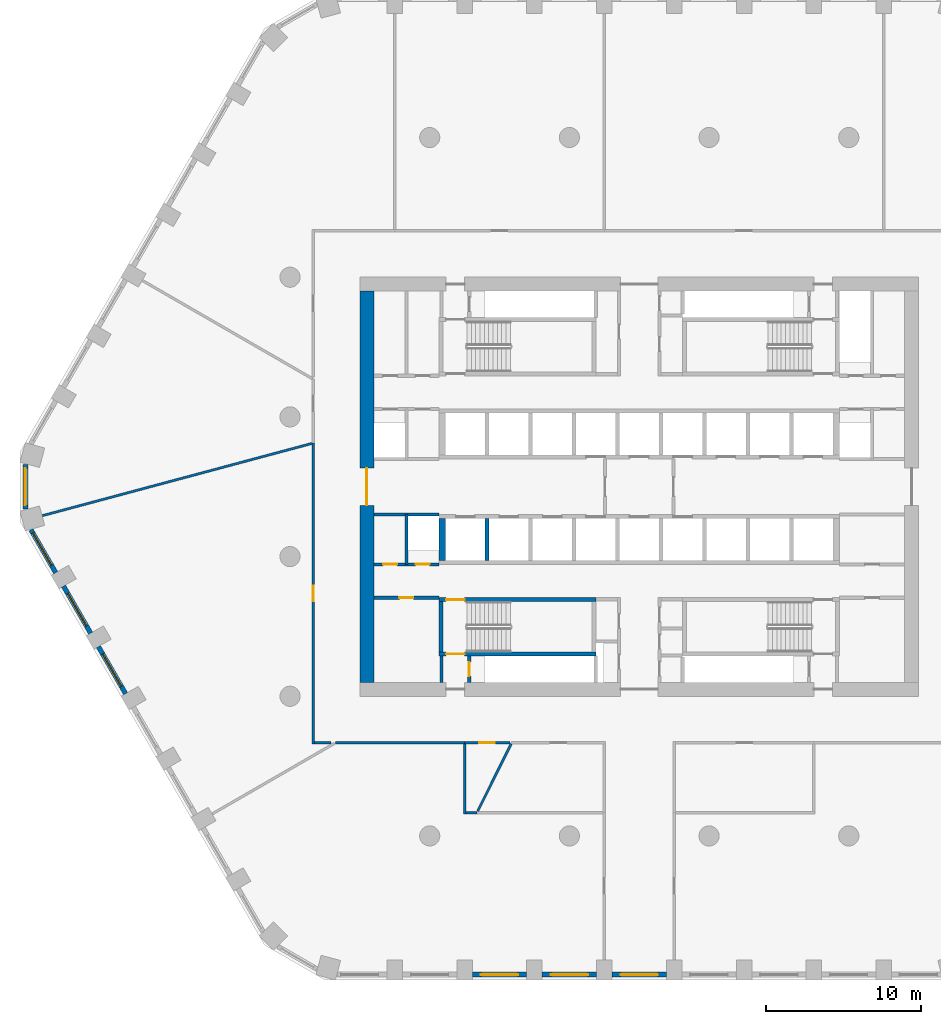
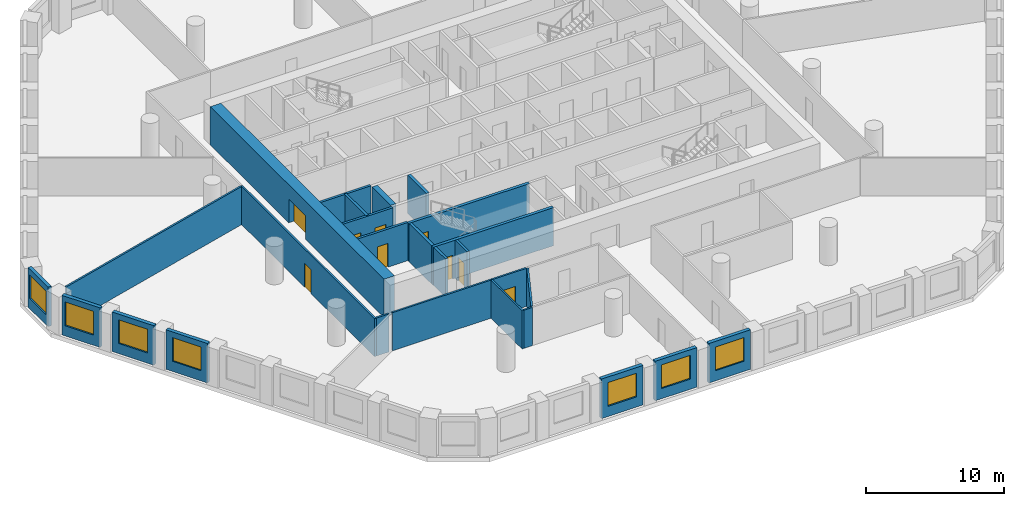
# One storey, part 2 of 9: 27 walls, 9 doors, 7 windows, 16 openings.
"""IFC4 building model written with IfcOpenShell, lengths in metres."""

from ifc_helpers import new_model, si_unit, direction, frame, frame_2d, origin, place, context, subcontext, project, spatial, polyline, rectangle, outline, extrude, material, layer, layer_set, type_object, element, fill, save


model = new_model("IFC4")

# Units and contexts
model_context = context("Model", 3, precision=1e-05, world=origin(), true_north=direction((0.0, 1.0)))
body_context = subcontext(model_context, "Body", "Model", "MODEL_VIEW")
ifc_project = project(units=[si_unit("LENGTHUNIT", "METRE"), si_unit("AREAUNIT", "SQUARE_METRE"), si_unit("VOLUMEUNIT", "CUBIC_METRE"), si_unit("PLANEANGLEUNIT", "RADIAN"), si_unit("MASSUNIT", "GRAM", prefix="KILO")], contexts=[model_context])

# Site, building, storey
site_placement = place(None, origin())
site = spatial("IfcSite", under=ifc_project, at=site_placement, CompositionType="ELEMENT")
building_placement = place(site_placement, origin())
building = spatial("IfcBuilding", under=site, at=building_placement, Name="Dhurran Vertical Campus", CompositionType="ELEMENT")
storey_placement = place(building_placement, frame((0.0, 0.0, 124.199951171875)))
storey = spatial("IfcBuildingStorey", under=building, at=storey_placement, Name="L30", CompositionType="ELEMENT", Elevation=124.199951171875)

# Wall, opening, window
ifc_material_1 = material(Name="Precast concrete C50/60", Category="concrete")
ifc_layer_1 = layer(ifc_material_1, 0.300048828125)
ifc_layer_set_1 = layer_set([ifc_layer_1], Name="Precast concrete C50/60")
wall_type_1 = type_object("IfcWallType", Name="Precast spandrel wall 300", PredefinedType="SOLIDWALL", material=ifc_layer_set_1)
wall_1_placement = place(storey_placement, frame((-10.74951171875, -31.4296875, 0.0), z_axis=(0.0, 0.0, 1.0), x_axis=(1.0, 0.0, 0.0)))
wall_1 = element("IfcWall", 1, at=wall_1_placement, inside=storey, type_object=wall_type_1, Name="EW1 L30.02", PredefinedType="SOLIDWALL", context=body_context, shape_type="SweptSolid", body=[
    extrude(rectangle(XDim=3.4990234375, YDim=0.300048828125, at=frame_2d((1.74951171875, 0.0))), origin(), (0.0, 0.0, 1.0), 3.5),
])
opening_1_placement = place(wall_1_placement, frame((0.549560546875, 0.0, 0.89990234375)))
opening_1 = element("IfcOpeningElement", 2, at=opening_1_placement, cuts=wall_1, Name="Opening WT1", PredefinedType="OPENING", context=body_context, shape_type="SweptSolid", body=[
    extrude(rectangle(XDim=2.39990234375, YDim=2.10009765625, at=frame_2d((1.199951171875, 1.050048828125))), frame((0.0, 0.159912109375, 0.0), z_axis=(0.0, -1.0, 0.0), x_axis=(1.0, 0.0, 0.0)), (0.0, 0.0, 1.0), 0.320068359375),
])
ifc_material_2 = material(Name="Aluminium frame with solar-control glass", Category="aluminium")
window_type = type_object("IfcWindowType", Name="Punched window 2400 x 2100", PartitioningType="SINGLE_PANEL", PredefinedType="WINDOW", material=ifc_material_2)
window_1_placement = place(opening_1_placement, origin())
window_1 = element("IfcWindow", 3, at=window_1_placement, inside=storey, type_object=window_type, Name="WT1 L30.02", OverallHeight=2.10009765625, OverallWidth=2.39990234375, PartitioningType="SINGLE_PANEL", PredefinedType="WINDOW", context=body_context, shape_type="SweptSolid", body=[
    extrude(rectangle(XDim=2.39990234375, YDim=2.10009765625, at=frame_2d((1.199951171875, 1.050048828125))), frame((0.0, 0.030029296875, 0.0), z_axis=(0.0, -1.0, 0.0), x_axis=(1.0, 0.0, 0.0)), (0.0, 0.0, 1.0), 0.06005859375),
])
fill(opening_1, window_1)

wall_2_placement = place(storey_placement, frame((-6.24951171875, -31.4296875, 0.0), z_axis=(0.0, 0.0, 1.0), x_axis=(1.0, 0.0, 0.0)))
wall_2 = element("IfcWall", 4, at=wall_2_placement, inside=storey, type_object=wall_type_1, Name="EW1 L30.03", PredefinedType="SOLIDWALL", context=body_context, shape_type="SweptSolid", body=[
    extrude(rectangle(XDim=3.4990234375, YDim=0.300048828125, at=frame_2d((1.74951171875, 0.0))), origin(), (0.0, 0.0, 1.0), 3.5),
])
opening_2_placement = place(wall_2_placement, frame((0.549560546875, 0.0, 0.89990234375)))
opening_2 = element("IfcOpeningElement", 5, at=opening_2_placement, cuts=wall_2, Name="Opening WT1", PredefinedType="OPENING", context=body_context, shape_type="SweptSolid", body=[
    extrude(rectangle(XDim=2.39990234375, YDim=2.10009765625, at=frame_2d((1.199951171875, 1.050048828125))), frame((0.0, 0.159912109375, 0.0), z_axis=(0.0, -1.0, 0.0), x_axis=(1.0, 0.0, 0.0)), (0.0, 0.0, 1.0), 0.320068359375),
])
window_2_placement = place(opening_2_placement, origin())
window_2 = element("IfcWindow", 6, at=window_2_placement, inside=storey, type_object=window_type, Name="WT1 L30.03", OverallHeight=2.10009765625, OverallWidth=2.39990234375, PartitioningType="SINGLE_PANEL", PredefinedType="WINDOW", context=body_context, shape_type="SweptSolid", body=[
    extrude(rectangle(XDim=2.39990234375, YDim=2.10009765625, at=frame_2d((1.199951171875, 1.050048828125))), frame((0.0, 0.030029296875, 0.0), z_axis=(0.0, -1.0, 0.0), x_axis=(1.0, 0.0, 0.0)), (0.0, 0.0, 1.0), 0.06005859375),
])
fill(opening_2, window_2)

wall_3_placement = place(storey_placement, frame((-1.74951171875, -31.4296875, 0.0), z_axis=(0.0, 0.0, 1.0), x_axis=(1.0, 0.0, 0.0)))
wall_3 = element("IfcWall", 7, at=wall_3_placement, inside=storey, type_object=wall_type_1, Name="EW1 L30.04", PredefinedType="SOLIDWALL", context=body_context, shape_type="SweptSolid", body=[
    extrude(rectangle(XDim=3.4990234375, YDim=0.300048828125, at=frame_2d((1.74951171875, 0.0))), origin(), (0.0, 0.0, 1.0), 3.5),
])
opening_3_placement = place(wall_3_placement, frame((0.549560546875, 0.0, 0.89990234375)))
opening_3 = element("IfcOpeningElement", 8, at=opening_3_placement, cuts=wall_3, Name="Opening WT1", PredefinedType="OPENING", context=body_context, shape_type="SweptSolid", body=[
    extrude(rectangle(XDim=2.39990234375, YDim=2.10009765625, at=frame_2d((1.199951171875, 1.050048828125))), frame((0.0, 0.159912109375, 0.0), z_axis=(0.0, -1.0, 0.0), x_axis=(1.0, 0.0, 0.0)), (0.0, 0.0, 1.0), 0.320068359375),
])
window_3_placement = place(opening_3_placement, origin())
window_3 = element("IfcWindow", 9, at=window_3_placement, inside=storey, type_object=window_type, Name="WT1 L30.04", OverallHeight=2.10009765625, OverallWidth=2.39990234375, PartitioningType="SINGLE_PANEL", PredefinedType="WINDOW", context=body_context, shape_type="SweptSolid", body=[
    extrude(rectangle(XDim=2.39990234375, YDim=2.10009765625, at=frame_2d((1.199951171875, 1.050048828125))), frame((0.0, 0.030029296875, 0.0), z_axis=(0.0, -1.0, 0.0), x_axis=(1.0, 0.0, 0.0)), (0.0, 0.0, 1.0), 0.06005859375),
])
fill(opening_3, window_3)

wall_4_placement = place(storey_placement, frame((-39.547119140625, 1.44287109375, 0.0), z_axis=(0.0, 0.0, 1.0), x_axis=(0.0, -1.0, 0.0)))
wall_4 = element("IfcWall", 10, at=wall_4_placement, inside=storey, type_object=wall_type_1, Name="EW1 L30.43", PredefinedType="SOLIDWALL", context=body_context, shape_type="SweptSolid", body=[
    extrude(rectangle(XDim=2.8857421875, YDim=0.300048828125, at=frame_2d((1.44287109375, 0.0))), origin(), (0.0, 0.0, 1.0), 3.5),
])
opening_4_placement = place(wall_4_placement, frame((0.242919921875, 0.0, 0.89990234375)))
opening_4 = element("IfcOpeningElement", 11, at=opening_4_placement, cuts=wall_4, Name="Opening WT1", PredefinedType="OPENING", context=body_context, shape_type="SweptSolid", body=[
    extrude(rectangle(XDim=2.39990234375, YDim=2.10009765625, at=frame_2d((1.199951171875, 1.050048828125))), frame((0.0, 0.159912109375, 0.0), z_axis=(0.0, -1.0, 0.0), x_axis=(1.0, 0.0, 0.0)), (0.0, 0.0, 1.0), 0.320068359375),
])
window_4_placement = place(opening_4_placement, origin())
window_4 = element("IfcWindow", 12, at=window_4_placement, inside=storey, type_object=window_type, Name="WT1 L30.43", OverallHeight=2.10009765625, OverallWidth=2.39990234375, PartitioningType="SINGLE_PANEL", PredefinedType="WINDOW", context=body_context, shape_type="SweptSolid", body=[
    extrude(rectangle(XDim=2.39990234375, YDim=2.10009765625, at=frame_2d((1.199951171875, 1.050048828125))), frame((0.0, 0.030029296875, 0.0), z_axis=(0.0, -1.0, 0.0), x_axis=(1.0, 0.0, 0.0)), (0.0, 0.0, 1.0), 0.06005859375),
])
fill(opening_4, window_4)

wall_5_placement = place(storey_placement, frame((-39.1904296875, -2.774169921875, 0.0), z_axis=(0.0, 0.0, 1.0), x_axis=(0.500004907028, -0.866022570692, 0.0)))
wall_5 = element("IfcWall", 13, at=wall_5_placement, inside=storey, type_object=wall_type_1, Name="EW1 L30.44", PredefinedType="SOLIDWALL", context=body_context, shape_type="SweptSolid", body=[
    extrude(rectangle(XDim=3.1923828125, YDim=0.300048828125, at=frame_2d((1.59619140625, 0.0))), origin(), (0.0, 0.0, 1.0), 3.5),
])
opening_5_placement = place(wall_5_placement, frame((0.242919921875, 0.0, 0.89990234375)))
opening_5 = element("IfcOpeningElement", 14, at=opening_5_placement, cuts=wall_5, Name="Opening WT1", PredefinedType="OPENING", context=body_context, shape_type="SweptSolid", body=[
    extrude(rectangle(XDim=2.39990234375, YDim=2.10009765625, at=frame_2d((1.199951171875, 1.050048828125))), frame((0.0, 0.159912109375, 0.0), z_axis=(0.0, -1.0, 0.0), x_axis=(1.0, 0.0, 0.0)), (0.0, 0.0, 1.0), 0.320068359375),
])
window_5_placement = place(opening_5_placement, origin())
window_5 = element("IfcWindow", 15, at=window_5_placement, inside=storey, type_object=window_type, Name="WT1 L30.44", OverallHeight=2.10009765625, OverallWidth=2.39990234375, PartitioningType="SINGLE_PANEL", PredefinedType="WINDOW", context=body_context, shape_type="SweptSolid", body=[
    extrude(rectangle(XDim=2.39990234375, YDim=2.10009765625, at=frame_2d((1.199951171875, 1.050048828125))), frame((0.0, 0.030029296875, 0.0), z_axis=(0.0, -1.0, 0.0), x_axis=(1.0, 0.0, 0.0)), (0.0, 0.0, 1.0), 0.06005859375),
])
fill(opening_5, window_5)

wall_6_placement = place(storey_placement, frame((-37.09375, -6.405517578125, 0.0), z_axis=(0.0, 0.0, 1.0), x_axis=(0.499996256241, -0.866027565234, 0.0)))
wall_6 = element("IfcWall", 16, at=wall_6_placement, inside=storey, type_object=wall_type_1, Name="EW1 L30.45", PredefinedType="SOLIDWALL", context=body_context, shape_type="SweptSolid", body=[
    extrude(rectangle(XDim=3.4990234375, YDim=0.300048828125, at=frame_2d((1.74951171875, 0.0))), origin(), (0.0, 0.0, 1.0), 3.5),
])
opening_6_placement = place(wall_6_placement, frame((0.549560546875, 0.0, 0.89990234375)))
opening_6 = element("IfcOpeningElement", 17, at=opening_6_placement, cuts=wall_6, Name="Opening WT1", PredefinedType="OPENING", context=body_context, shape_type="SweptSolid", body=[
    extrude(rectangle(XDim=2.39990234375, YDim=2.10009765625, at=frame_2d((1.199951171875, 1.050048828125))), frame((0.0, 0.159912109375, 0.0), z_axis=(0.0, -1.0, 0.0), x_axis=(1.0, 0.0, 0.0)), (0.0, 0.0, 1.0), 0.320068359375),
])
window_6_placement = place(opening_6_placement, origin())
window_6 = element("IfcWindow", 18, at=window_6_placement, inside=storey, type_object=window_type, Name="WT1 L30.45", OverallHeight=2.10009765625, OverallWidth=2.39990234375, PartitioningType="SINGLE_PANEL", PredefinedType="WINDOW", context=body_context, shape_type="SweptSolid", body=[
    extrude(rectangle(XDim=2.39990234375, YDim=2.10009765625, at=frame_2d((1.199951171875, 1.050048828125))), frame((0.0, 0.030029296875, 0.0), z_axis=(0.0, -1.0, 0.0), x_axis=(1.0, 0.0, 0.0)), (0.0, 0.0, 1.0), 0.06005859375),
])
fill(opening_6, window_6)

wall_7_placement = place(storey_placement, frame((-34.84375, -10.302734375, 0.0), z_axis=(0.0, 0.0, 1.0), x_axis=(0.499996256241, -0.866027565234, 0.0)))
wall_7 = element("IfcWall", 19, at=wall_7_placement, inside=storey, type_object=wall_type_1, Name="EW1 L30.46", PredefinedType="SOLIDWALL", context=body_context, shape_type="SweptSolid", body=[
    extrude(rectangle(XDim=3.4990234375, YDim=0.300048828125, at=frame_2d((1.74951171875, 0.0))), origin(), (0.0, 0.0, 1.0), 3.5),
])
opening_7_placement = place(wall_7_placement, frame((0.549560546875, 0.0, 0.89990234375)))
opening_7 = element("IfcOpeningElement", 20, at=opening_7_placement, cuts=wall_7, Name="Opening WT1", PredefinedType="OPENING", context=body_context, shape_type="SweptSolid", body=[
    extrude(rectangle(XDim=2.39990234375, YDim=2.10009765625, at=frame_2d((1.199951171875, 1.050048828125))), frame((0.0, 0.159912109375, 0.0), z_axis=(0.0, -1.0, 0.0), x_axis=(1.0, 0.0, 0.0)), (0.0, 0.0, 1.0), 0.320068359375),
])
window_7_placement = place(opening_7_placement, origin())
window_7 = element("IfcWindow", 21, at=window_7_placement, inside=storey, type_object=window_type, Name="WT1 L30.46", OverallHeight=2.10009765625, OverallWidth=2.39990234375, PartitioningType="SINGLE_PANEL", PredefinedType="WINDOW", context=body_context, shape_type="SweptSolid", body=[
    extrude(rectangle(XDim=2.39990234375, YDim=2.10009765625, at=frame_2d((1.199951171875, 1.050048828125))), frame((0.0, 0.030029296875, 0.0), z_axis=(0.0, -1.0, 0.0), x_axis=(1.0, 0.0, 0.0)), (0.0, 0.0, 1.0), 0.06005859375),
])
fill(opening_7, window_7)

# Wall, opening, door
ifc_material_3 = material(Name="Concrete C60/75", Category="concrete")
ifc_layer_2 = layer(ifc_material_3, 0.89990234375)
ifc_layer_set_2 = layer_set([ifc_layer_2], Name="Concrete C60/75")
wall_type_2 = type_object("IfcWallType", Name="co-CORE-WALL-C0-900", PredefinedType="SHEAR", material=ifc_layer_set_2)
wall_8_placement = place(storey_placement, frame((-17.550048828125, -12.60009765625, 0.0), z_axis=(0.0, 0.0, 1.0), x_axis=(0.0, 1.0, 0.0)))
wall_8 = element("IfcWall", 22, at=wall_8_placement, inside=storey, type_object=wall_type_2, Name="Core wall W L30", PredefinedType="SHEAR", context=body_context, shape_type="SweptSolid", body=[
    extrude(rectangle(XDim=25.2001953125, YDim=0.89990234375, at=frame_2d((12.60009765625, 0.0))), origin(), (0.0, 0.0, 1.0), 3.375),
])
opening_8_placement = place(wall_8_placement, frame((11.39990234375, 0.0, 0.0)))
opening_8 = element("IfcOpeningElement", 23, at=opening_8_placement, cuts=wall_8, Name="Opening CL1", PredefinedType="OPENING", context=body_context, shape_type="SweptSolid", body=[
    extrude(rectangle(XDim=2.39990234375, YDim=2.10009765625, at=frame_2d((1.199951171875, 1.050048828125))), frame((0.0, 0.4599609375, 0.0), z_axis=(0.0, -1.0, 0.0), x_axis=(1.0, 0.0, 0.0)), (0.0, 0.0, 1.0), 0.919921875),
])
ifc_material_4 = material(Name="Fire-rated glazed door set")
door_type_1 = type_object("IfcDoorType", Name="co-D-LOBBY 2400x2100", OperationType="DOUBLE_DOOR_DOUBLE_SWING", PredefinedType="DOOR", material=ifc_material_4)
door_1_placement = place(opening_8_placement, origin())
door_1 = element("IfcDoor", 24, at=door_1_placement, inside=storey, type_object=door_type_1, Name="Lift lobby door W L30", OperationType="DOUBLE_DOOR_DOUBLE_SWING", OverallHeight=2.10009765625, OverallWidth=2.39990234375, PredefinedType="DOOR", context=body_context, shape_type="SweptSolid", body=[
    extrude(rectangle(XDim=2.39990234375, YDim=2.10009765625, at=frame_2d((1.199951171875, 1.050048828125))), frame((0.0, 0.02490234375, 0.0), z_axis=(0.0, -1.0, 0.0), x_axis=(1.0, 0.0, 0.0)), (0.0, 0.0, 1.0), 0.050048828125),
])
fill(opening_8, door_1)

# Wall
ifc_material_5 = material(Name="Fire-rated masonry blockwork", Category="masonry")
ifc_layer_3 = layer(ifc_material_5, 0.199951171875)
ifc_layer_set_3 = layer_set([ifc_layer_3], Name="Fire-rated masonry blockwork")
wall_type_3 = type_object("IfcWallType", Name="co-FIRE-PARTITION-200", PredefinedType="PARTITIONING", material=ifc_layer_set_3)
wall_9_placement = place(storey_placement, frame((-12.75, -12.60009765625, 0.0), z_axis=(0.0, 0.0, 1.0), x_axis=(0.0, 1.0, 0.0)))
element("IfcWall", 25, at=wall_9_placement, inside=storey, type_object=wall_type_3, Name="Core partition pass-ST3-o L30", PredefinedType="PARTITIONING", context=body_context, shape_type="SweptSolid", body=[
    extrude(rectangle(XDim=1.7001953125, YDim=0.199951171875, at=frame_2d((0.85009765625, 0.0))), origin(), (0.0, 0.0, 1.0), 3.375),
])

# Wall, opening, door
wall_10_placement = place(storey_placement, frame((-10.949951171875, -12.60009765625, 0.0), z_axis=(0.0, 0.0, 1.0), x_axis=(0.0, 1.0, 0.0)))
wall_10 = element("IfcWall", 26, at=wall_10_placement, inside=storey, type_object=wall_type_3, Name="Core partition pass-ST3-i L30", PredefinedType="PARTITIONING", context=body_context, shape_type="SweptSolid", body=[
    extrude(rectangle(XDim=1.7001953125, YDim=0.199951171875, at=frame_2d((0.85009765625, 0.0))), origin(), (0.0, 0.0, 1.0), 3.375),
])
opening_9_placement = place(wall_10_placement, frame((0.39990234375, 0.0, 0.0)))
opening_9 = element("IfcOpeningElement", 27, at=opening_9_placement, cuts=wall_10, Name="Opening T08-C11", PredefinedType="OPENING", context=body_context, shape_type="SweptSolid", body=[
    extrude(rectangle(XDim=0.89990234375, YDim=2.10009765625, at=frame_2d((0.449951171875, 1.050048828125))), frame((0.0, 0.10986328125, 0.0), z_axis=(0.0, -1.0, 0.0), x_axis=(1.0, 0.0, 0.0)), (0.0, 0.0, 1.0), 0.219970703125),
])
ifc_material_6 = material(Name="Fire-rated timber door set", Category="wood")
door_type_2 = type_object("IfcDoorType", Name="co-D-ROOM 900x2100", OperationType="SINGLE_SWING_LEFT", PredefinedType="DOOR", material=ifc_material_6)
door_2_placement = place(opening_9_placement, origin())
door_2 = element("IfcDoor", 28, at=door_2_placement, inside=storey, type_object=door_type_2, Name="Riser room door L30", OperationType="SINGLE_SWING_LEFT", OverallHeight=2.10009765625, OverallWidth=0.89990234375, PredefinedType="DOOR", context=body_context, shape_type="SweptSolid", body=[
    extrude(rectangle(XDim=0.89990234375, YDim=2.10009765625, at=frame_2d((0.449951171875, 1.050048828125))), frame((0.0, 0.02490234375, 0.0), z_axis=(0.0, -1.0, 0.0), x_axis=(1.0, 0.0, 0.0)), (0.0, 0.0, 1.0), 0.050048828125),
])
fill(opening_9, door_2)

wall_11_placement = place(storey_placement, frame((-17.10009765625, -7.14990234375, 0.0), z_axis=(0.0, 0.0, 1.0), x_axis=(1.0, 0.0, 0.0)))
wall_11 = element("IfcWall", 29, at=wall_11_placement, inside=storey, type_object=wall_type_3, Name="Core partition en-SW-w L30", PredefinedType="PARTITIONING", context=body_context, shape_type="SweptSolid", body=[
    extrude(rectangle(XDim=4.2001953125, YDim=0.199951171875, at=frame_2d((2.10009765625, 0.0))), origin(), (0.0, 0.0, 1.0), 3.375),
])
opening_10_placement = place(wall_11_placement, frame((1.64990234375, 0.0, 0.0)))
opening_10 = element("IfcOpeningElement", 30, at=opening_10_placement, cuts=wall_11, Name="Opening T08-C21", PredefinedType="OPENING", context=body_context, shape_type="SweptSolid", body=[
    extrude(rectangle(XDim=0.89990234375, YDim=2.10009765625, at=frame_2d((0.449951171875, 1.050048828125))), frame((0.0, 0.10986328125, 0.0), z_axis=(0.0, -1.0, 0.0), x_axis=(1.0, 0.0, 0.0)), (0.0, 0.0, 1.0), 0.219970703125),
])
door_3_placement = place(opening_10_placement, origin())
door_3 = element("IfcDoor", 31, at=door_3_placement, inside=storey, type_object=door_type_2, Name="Waste room door L30", OperationType="SINGLE_SWING_LEFT", OverallHeight=2.10009765625, OverallWidth=0.89990234375, PredefinedType="DOOR", context=body_context, shape_type="SweptSolid", body=[
    extrude(rectangle(XDim=0.89990234375, YDim=2.10009765625, at=frame_2d((0.449951171875, 1.050048828125))), frame((0.0, 0.02490234375, 0.0), z_axis=(0.0, -1.0, 0.0), x_axis=(1.0, 0.0, 0.0)), (0.0, 0.0, 1.0), 0.050048828125),
])
fill(opening_10, door_3)

# Wall
wall_12_placement = place(storey_placement, frame((-15.0, -5.0, 0.0), z_axis=(0.0, 0.0, 1.0), x_axis=(0.0, 1.0, 0.0)))
element("IfcWall", 32, at=wall_12_placement, inside=storey, type_object=wall_type_3, Name="Core partition es-SW-cut0 L30", PredefinedType="PARTITIONING", context=body_context, shape_type="SweptSolid", body=[
    extrude(rectangle(XDim=3.199951171875, YDim=0.199951171875, at=frame_2d((1.60009765625, 0.0))), origin(), (0.0, 0.0, 1.0), 3.375),
])

# Wall, openings, doors
wall_13_placement = place(storey_placement, frame((-17.10009765625, -5.0, 0.0), z_axis=(0.0, 0.0, 1.0), x_axis=(1.0, 0.0, 0.0)))
wall_13 = element("IfcWall", 33, at=wall_13_placement, inside=storey, type_object=wall_type_3, Name="Core partition es-SW-w L30", PredefinedType="PARTITIONING", context=body_context, shape_type="SweptSolid", body=[
    extrude(rectangle(XDim=4.2001953125, YDim=0.199951171875, at=frame_2d((2.10009765625, 0.0))), origin(), (0.0, 0.0, 1.0), 3.375),
])
opening_11_placement = place(wall_13_placement, frame((0.60009765625, 0.0, 0.0)))
opening_11 = element("IfcOpeningElement", 34, at=opening_11_placement, cuts=wall_13, Name="Opening T08-C22", PredefinedType="OPENING", context=body_context, shape_type="SweptSolid", body=[
    extrude(rectangle(XDim=0.89990234375, YDim=2.10009765625, at=frame_2d((0.449951171875, 1.050048828125))), frame((0.0, 0.10986328125, 0.0), z_axis=(0.0, -1.0, 0.0), x_axis=(1.0, 0.0, 0.0)), (0.0, 0.0, 1.0), 0.219970703125),
])
opening_12_placement = place(wall_13_placement, frame((2.699951171875, 0.0, 0.0)))
opening_12 = element("IfcOpeningElement", 35, at=opening_12_placement, cuts=wall_13, Name="Opening T08-C23", PredefinedType="OPENING", context=body_context, shape_type="SweptSolid", body=[
    extrude(rectangle(XDim=0.89990234375, YDim=2.10009765625, at=frame_2d((0.449951171875, 1.050048828125))), frame((0.0, 0.10986328125, 0.0), z_axis=(0.0, -1.0, 0.0), x_axis=(1.0, 0.0, 0.0)), (0.0, 0.0, 1.0), 0.219970703125),
])
door_4_placement = place(opening_11_placement, origin())
door_4 = element("IfcDoor", 36, at=door_4_placement, inside=storey, type_object=door_type_2, Name="Communications room door L30", OperationType="SINGLE_SWING_LEFT", OverallHeight=2.10009765625, OverallWidth=0.89990234375, PredefinedType="DOOR", context=body_context, shape_type="SweptSolid", body=[
    extrude(rectangle(XDim=0.89990234375, YDim=2.10009765625, at=frame_2d((0.449951171875, 1.050048828125))), frame((0.0, 0.02490234375, 0.0), z_axis=(0.0, -1.0, 0.0), x_axis=(1.0, 0.0, 0.0)), (0.0, 0.0, 1.0), 0.050048828125),
])
fill(opening_11, door_4)
door_5_placement = place(opening_12_placement, origin())
door_5 = element("IfcDoor", 37, at=door_5_placement, inside=storey, type_object=door_type_2, Name="Electrical riser door L30", OperationType="SINGLE_SWING_LEFT", OverallHeight=2.10009765625, OverallWidth=0.89990234375, PredefinedType="DOOR", context=body_context, shape_type="SweptSolid", body=[
    extrude(rectangle(XDim=0.89990234375, YDim=2.10009765625, at=frame_2d((0.449951171875, 1.050048828125))), frame((0.0, 0.02490234375, 0.0), z_axis=(0.0, -1.0, 0.0), x_axis=(1.0, 0.0, 0.0)), (0.0, 0.0, 1.0), 0.050048828125),
])
fill(opening_12, door_5)

# Walls
wall_14_placement = place(storey_placement, frame((-17.10009765625, -1.800048828125, 0.0), z_axis=(0.0, 0.0, 1.0), x_axis=(1.0, 0.0, 0.0)))
element("IfcWall", 38, at=wall_14_placement, inside=storey, type_object=wall_type_3, Name="Core partition es-SW-l L30", PredefinedType="PARTITIONING", context=body_context, shape_type="SweptSolid", body=[
    extrude(rectangle(XDim=4.2001953125, YDim=0.199951171875, at=frame_2d((2.10009765625, 0.0))), origin(), (0.0, 0.0, 1.0), 3.375),
])
ifc_material_7 = material(Name="Concrete C50/60", Category="concrete")
ifc_layer_4 = layer(ifc_material_7, 0.25)
ifc_layer_set_4 = layer_set([ifc_layer_4], Name="Concrete C50/60")
wall_type_4 = type_object("IfcWallType", Name="co-SHAFT-MASS-250", PredefinedType="SHEAR", material=ifc_layer_set_4)
wall_15_placement = place(storey_placement, origin())
element("IfcWall", 39, at=wall_15_placement, inside=storey, type_object=wall_type_4, Name="Lift shaft wall S L30 2", PredefinedType="SHEAR", context=body_context, shape_type="SweptSolid", body=[
    extrude(outline(polyline([(-12.89990234375, -4.75), (-12.47509765625, -4.75), (-12.47509765625, -2.050048828125), (-12.89990234375, -2.050048828125), (-12.89990234375, -4.75)])), origin(), (0.0, 0.0, 1.0), 3.375),
])
wall_16_placement = place(storey_placement, origin())
element("IfcWall", 40, at=wall_16_placement, inside=storey, type_object=wall_type_4, Name="Lift shaft wall S L30 3", PredefinedType="SHEAR", context=body_context, shape_type="SweptSolid", body=[
    extrude(outline(polyline([(-9.925048828125, -4.75), (-9.675048828125, -4.75), (-9.675048828125, -2.050048828125), (-9.925048828125, -2.050048828125), (-9.925048828125, -4.75)])), origin(), (0.0, 0.0, 1.0), 3.375),
])

# Wall, opening, door
ifc_material_8 = material(Name="Concrete C40/50", Category="concrete")
ifc_layer_5 = layer(ifc_material_8, 0.25)
ifc_layer_set_5 = layer_set([ifc_layer_5], Name="Concrete C40/50")
wall_type_5 = type_object("IfcWallType", Name="co-STAIR-WALL-250", PredefinedType="SHEAR", material=ifc_layer_set_5)
wall_17_placement = place(storey_placement, frame((-12.89990234375, -10.77490234375, 0.0), z_axis=(0.0, 0.0, 1.0), x_axis=(1.0, 0.0, 0.0)))
wall_17 = element("IfcWall", 41, at=wall_17_placement, inside=storey, type_object=wall_type_5, Name="Stair ST3 enclosure wall L30", PredefinedType="SHEAR", context=body_context, shape_type="SweptSolid", body=[
    extrude(rectangle(XDim=10.099853515625, YDim=0.25, at=frame_2d((5.0498046875, 0.0))), origin(), (0.0, 0.0, 1.0), 3.375),
])
opening_13_placement = place(wall_17_placement, frame((0.449951171875, 0.0, 0.0)))
opening_13 = element("IfcOpeningElement", 42, at=opening_13_placement, cuts=wall_17, Name="Opening XS3", PredefinedType="OPENING", context=body_context, shape_type="SweptSolid", body=[
    extrude(rectangle(XDim=1.199951171875, YDim=2.10009765625, at=frame_2d((0.60009765625, 1.050048828125))), frame((0.0, 0.135009765625, 0.0), z_axis=(0.0, -1.0, 0.0), x_axis=(1.0, 0.0, 0.0)), (0.0, 0.0, 1.0), 0.27001953125),
])
ifc_material_9 = material(Name="Fire-rated steel door set", Category="steel")
door_type_3 = type_object("IfcDoorType", Name="co-D-STAIR-EXIT 1200x2100", OperationType="SINGLE_SWING_RIGHT", PredefinedType="DOOR", material=ifc_material_9)
door_6_placement = place(opening_13_placement, origin())
door_6 = element("IfcDoor", 43, at=door_6_placement, inside=storey, type_object=door_type_3, Name="Stair ST3 discharge door L30", OperationType="SINGLE_SWING_RIGHT", OverallHeight=2.10009765625, OverallWidth=1.199951171875, PredefinedType="DOOR", context=body_context, shape_type="SweptSolid", body=[
    extrude(rectangle(XDim=1.199951171875, YDim=2.10009765625, at=frame_2d((0.60009765625, 1.050048828125))), frame((0.0, 0.02490234375, 0.0), z_axis=(0.0, -1.0, 0.0), x_axis=(1.0, 0.0, 0.0)), (0.0, 0.0, 1.0), 0.050048828125),
])
fill(opening_13, door_6)

wall_18_placement = place(storey_placement, frame((-12.89990234375, -7.27490234375, 0.0), z_axis=(0.0, 0.0, 1.0), x_axis=(1.0, 0.0, 0.0)))
wall_18 = element("IfcWall", 44, at=wall_18_placement, inside=storey, type_object=wall_type_5, Name="Stair ST3 enclosure wall L30", PredefinedType="SHEAR", context=body_context, shape_type="SweptSolid", body=[
    extrude(rectangle(XDim=10.099853515625, YDim=0.25, at=frame_2d((5.0498046875, 0.0))), origin(), (0.0, 0.0, 1.0), 3.375),
])
opening_14_placement = place(wall_18_placement, frame((0.449951171875, 0.0, 0.0)))
opening_14 = element("IfcOpeningElement", 45, at=opening_14_placement, cuts=wall_18, Name="Opening SD3", PredefinedType="OPENING", context=body_context, shape_type="SweptSolid", body=[
    extrude(rectangle(XDim=1.199951171875, YDim=2.10009765625, at=frame_2d((0.60009765625, 1.050048828125))), frame((0.0, 0.135009765625, 0.0), z_axis=(0.0, -1.0, 0.0), x_axis=(1.0, 0.0, 0.0)), (0.0, 0.0, 1.0), 0.27001953125),
])
ifc_material_10 = material(Name="Fire-rated steel door set", Category="steel")
door_type_4 = type_object("IfcDoorType", Name="co-D-STAIR 1200x2100", OperationType="SINGLE_SWING_LEFT", PredefinedType="DOOR", material=ifc_material_10)
door_7_placement = place(opening_14_placement, origin())
door_7 = element("IfcDoor", 46, at=door_7_placement, inside=storey, type_object=door_type_4, Name="Stair ST3 door L30", OperationType="SINGLE_SWING_LEFT", OverallHeight=2.10009765625, OverallWidth=1.199951171875, PredefinedType="DOOR", context=body_context, shape_type="SweptSolid", body=[
    extrude(rectangle(XDim=1.199951171875, YDim=2.10009765625, at=frame_2d((0.60009765625, 1.050048828125))), frame((0.0, 0.02490234375, 0.0), z_axis=(0.0, -1.0, 0.0), x_axis=(1.0, 0.0, 0.0)), (0.0, 0.0, 1.0), 0.050048828125),
])
fill(opening_14, door_7)

# Wall
wall_19_placement = place(storey_placement, frame((-12.77490234375, -10.64990234375, 0.0), z_axis=(0.0, 0.0, 1.0), x_axis=(0.0, 1.0, 0.0)))
element("IfcWall", 47, at=wall_19_placement, inside=storey, type_object=wall_type_5, Name="Stair ST3 enclosure wall L30", PredefinedType="SHEAR", context=body_context, shape_type="SweptSolid", body=[
    extrude(rectangle(XDim=3.25, YDim=0.25, at=frame_2d((1.625, 0.0))), origin(), (0.0, 0.0, 1.0), 3.375),
])

# Wall, opening, door
ifc_material_11 = material(Name="Gypsum board corridor wall on steel studs", Category="steel")
ifc_layer_6 = layer(ifc_material_11, 0.14990234375)
ifc_layer_set_6 = layer_set([ifc_layer_6], Name="Gypsum board corridor wall on steel studs")
wall_type_6 = type_object("IfcWallType", Name="fl-CW-150 corridor wall", PredefinedType="PARTITIONING", material=ifc_layer_set_6)
wall_20_placement = place(storey_placement, frame((-21.0, 2.81298828125, 0.0), z_axis=(0.0, 0.0, 1.0), x_axis=(0.0, -1.0, 0.0)))
wall_20 = element("IfcWall", 48, at=wall_20_placement, inside=storey, type_object=wall_type_6, Name="Partition 30-04", PredefinedType="PARTITIONING", context=body_context, shape_type="SweptSolid", body=[
    extrude(rectangle(XDim=19.387939453125, YDim=0.14990234375, at=frame_2d((9.69384765625, 0.0))), origin(), (0.0, 0.0, 1.0), 3.375),
])
opening_15_placement = place(wall_20_placement, frame((9.194091796875, 0.0, 0.0)))
opening_15 = element("IfcOpeningElement", 49, at=opening_15_placement, cuts=wall_20, Name="Opening T08.02", PredefinedType="OPENING", context=body_context, shape_type="SweptSolid", body=[
    extrude(rectangle(XDim=1.0, YDim=2.10009765625, at=frame_2d((0.5, 1.050048828125))), frame((0.0, 0.0849609375, 0.0), z_axis=(0.0, -1.0, 0.0), x_axis=(1.0, 0.0, 0.0)), (0.0, 0.0, 1.0), 0.169921875),
])
ifc_material_12 = material(Name="Solid-core timber door set, fire-rated", Category="wood")
door_type_5 = type_object("IfcDoorType", Name="fl-D-1000x2100", OperationType="SINGLE_SWING_LEFT", PredefinedType="DOOR", material=ifc_material_12)
door_8_placement = place(opening_15_placement, origin())
door_8 = element("IfcDoor", 50, at=door_8_placement, inside=storey, type_object=door_type_5, Name="Door 30.02", OperationType="SINGLE_SWING_RIGHT", OverallHeight=2.10009765625, OverallWidth=1.0, PredefinedType="DOOR", context=body_context, shape_type="SweptSolid", body=[
    extrude(rectangle(XDim=1.0, YDim=2.10009765625, at=frame_2d((0.5, 1.050048828125))), frame((0.0, 0.02490234375, 0.0), z_axis=(0.0, -1.0, 0.0), x_axis=(1.0, 0.0, 0.0)), (0.0, 0.0, 1.0), 0.050048828125),
])
fill(opening_15, door_8)

# Walls
wall_21_placement = place(storey_placement, frame((-20.925048828125, -16.5, 0.0), z_axis=(0.0, 0.0, 1.0), x_axis=(1.0, 0.0, 0.0)))
element("IfcWall", 51, at=wall_21_placement, inside=storey, type_object=wall_type_6, Name="Partition 30-05", PredefinedType="PARTITIONING", context=body_context, shape_type="SweptSolid", body=[
    extrude(rectangle(XDim=1.071044921875, YDim=0.14990234375, at=frame_2d((0.53564453125, 0.0))), origin(), (0.0, 0.0, 1.0), 3.375),
])
wall_22_placement = place(storey_placement, frame((-19.5791015625, -16.5, 0.0), z_axis=(0.0, 0.0, 1.0), x_axis=(1.0, 0.0, 0.0)))
element("IfcWall", 52, at=wall_22_placement, inside=storey, type_object=wall_type_6, Name="Partition 30-09", PredefinedType="PARTITIONING", context=body_context, shape_type="SweptSolid", body=[
    extrude(rectangle(XDim=8.3291015625, YDim=0.14990234375, at=frame_2d((4.16455078125, 0.0))), origin(), (0.0, 0.0, 1.0), 3.375),
])

# Wall, opening, door
wall_23_placement = place(storey_placement, frame((-11.25, -16.5, 0.0), z_axis=(0.0, 0.0, 1.0), x_axis=(1.0, 0.0, 0.0)))
wall_23 = element("IfcWall", 53, at=wall_23_placement, inside=storey, type_object=wall_type_6, Name="Partition 30-14", PredefinedType="PARTITIONING", context=body_context, shape_type="SweptSolid", body=[
    extrude(rectangle(XDim=2.912109375, YDim=0.14990234375, at=frame_2d((1.4560546875, 0.0))), origin(), (0.0, 0.0, 1.0), 3.375),
])
opening_16_placement = place(wall_23_placement, frame((0.9560546875, 0.0, 0.0)))
opening_16 = element("IfcOpeningElement", 54, at=opening_16_placement, cuts=wall_23, Name="Opening T08.05", PredefinedType="OPENING", context=body_context, shape_type="SweptSolid", body=[
    extrude(rectangle(XDim=1.0, YDim=2.10009765625, at=frame_2d((0.5, 1.050048828125))), frame((0.0, 0.0849609375, 0.0), z_axis=(0.0, -1.0, 0.0), x_axis=(1.0, 0.0, 0.0)), (0.0, 0.0, 1.0), 0.169921875),
])
door_9_placement = place(opening_16_placement, origin())
door_9 = element("IfcDoor", 55, at=door_9_placement, inside=storey, type_object=door_type_5, Name="Door 30.05", OperationType="SINGLE_SWING_RIGHT", OverallHeight=2.10009765625, OverallWidth=1.0, PredefinedType="DOOR", context=body_context, shape_type="SweptSolid", body=[
    extrude(rectangle(XDim=1.0, YDim=2.10009765625, at=frame_2d((0.5, 1.050048828125))), frame((0.0, 0.02490234375, 0.0), z_axis=(0.0, -1.0, 0.0), x_axis=(1.0, 0.0, 0.0)), (0.0, 0.0, 1.0), 0.050048828125),
])
fill(opening_16, door_9)

# Walls
ifc_material_13 = material(Name="Gypsum board partition on steel studs", Category="steel")
ifc_layer_7 = layer(ifc_material_13, 0.14990234375)
ifc_layer_set_7 = layer_set([ifc_layer_7], Name="Gypsum board partition on steel studs")
wall_type_7 = type_object("IfcWallType", Name="fl-PW-150 fixed partition", PredefinedType="PARTITIONING", material=ifc_layer_set_7)
wall_24_placement = place(storey_placement, frame((-21.091796875, 2.788330078125, 0.0), z_axis=(0.0, 0.0, 1.0), x_axis=(-0.965925618712, -0.25881981979, 0.0)))
element("IfcWall", 56, at=wall_24_placement, inside=storey, type_object=wall_type_7, Name="Partition 30-01", PredefinedType="PARTITIONING", context=body_context, shape_type="SweptSolid", body=[
    extrude(rectangle(XDim=17.974365234375, YDim=0.14990234375, at=frame_2d((8.9873046875, 0.0))), origin(), (0.0, 0.0, 1.0), 3.375),
])
wall_25_placement = place(storey_placement, frame((-11.25, -16.574951171875, 0.0), z_axis=(0.0, 0.0, 1.0), x_axis=(0.0, -1.0, 0.0)))
element("IfcWall", 57, at=wall_25_placement, inside=storey, type_object=wall_type_7, Name="Partition 30-12", PredefinedType="PARTITIONING", context=body_context, shape_type="SweptSolid", body=[
    extrude(rectangle(XDim=4.5, YDim=0.14990234375, at=frame_2d((2.25, 0.0))), origin(), (0.0, 0.0, 1.0), 3.375),
])
wall_26_placement = place(storey_placement, frame((-11.175048828125, -21.0, 0.0), z_axis=(0.0, 0.0, 1.0), x_axis=(1.0, 0.0, 0.0)))
element("IfcWall", 58, at=wall_26_placement, inside=storey, type_object=wall_type_7, Name="Partition 30-13", PredefinedType="PARTITIONING", context=body_context, shape_type="SweptSolid", body=[
    extrude(rectangle(XDim=0.714111328125, YDim=0.14990234375, at=frame_2d((0.35693359375, 0.0))), origin(), (0.0, 0.0, 1.0), 3.375),
])
wall_27_placement = place(storey_placement, frame((-8.25146484375, -16.567138671875, 0.0), z_axis=(0.0, 0.0, 1.0), x_axis=(-0.446101910457, -0.894982170486, 0.0)))
element("IfcWall", 59, at=wall_27_placement, inside=storey, type_object=wall_type_7, Name="Partition 30-15", PredefinedType="PARTITIONING", context=body_context, shape_type="SweptSolid", body=[
    extrude(rectangle(XDim=4.8330078125, YDim=0.14990234375, at=frame_2d((2.41650390625, 0.0))), origin(), (0.0, 0.0, 1.0), 3.375),
])

save(model, "model.ifc")
